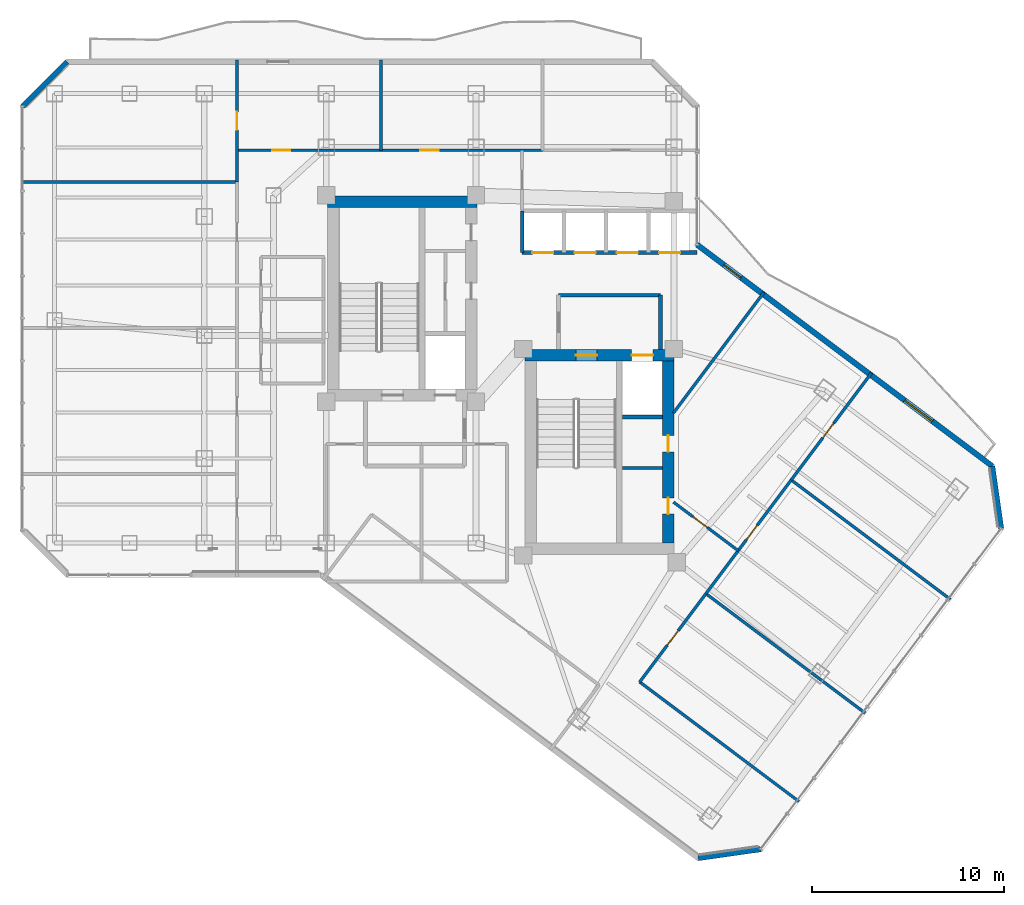
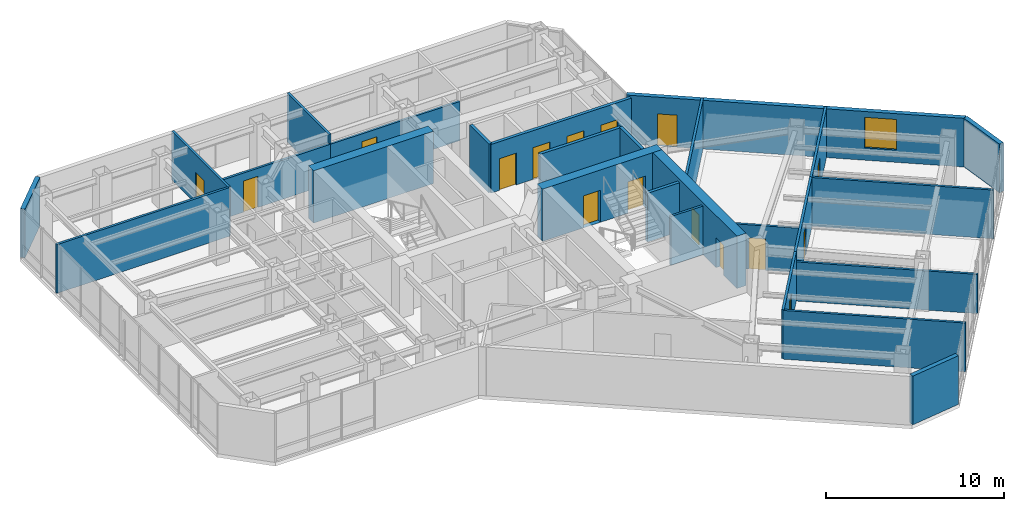
# One storey, part 23 of 27: 26 walls, 16 doors, 1 window, 17 openings.
"""IFC4 building model written with IfcOpenShell, lengths in metres."""

from ifc_helpers import new_model, si_unit, direction, frame, frame_2d, origin, place, context, subcontext, project, spatial, rectangle, extrude, material, layer, layer_set, type_object, element, fill, save


model = new_model("IFC4")

# Units and contexts
model_context = context("Model", 3, precision=1e-05, world=origin(), true_north=direction((0.0, 1.0)))
body_context = subcontext(model_context, "Body", "Model", "MODEL_VIEW")
ifc_project = project(units=[si_unit("LENGTHUNIT", "METRE"), si_unit("AREAUNIT", "SQUARE_METRE"), si_unit("VOLUMEUNIT", "CUBIC_METRE"), si_unit("PLANEANGLEUNIT", "RADIAN"), si_unit("MASSUNIT", "GRAM", prefix="KILO")], contexts=[model_context])

# Site, building, storey
site_placement = place(None, origin())
site = spatial("IfcSite", under=ifc_project, at=site_placement, CompositionType="ELEMENT")
building_placement = place(site_placement, origin())
building = spatial("IfcBuilding", under=site, at=building_placement, Name="Hatsunagi Terrace Concourse", CompositionType="ELEMENT")
storey_placement = place(building_placement, frame((0.0, 0.0, 142.050048828125)))
storey = spatial("IfcBuildingStorey", under=building, at=storey_placement, Name="L37", CompositionType="ELEMENT", Elevation=142.050048828125)

# Wall
ifc_material_1 = material(Name="Concrete Fc48", Category="concrete")
ifc_layer_1 = layer(ifc_material_1, 0.60009765625)
ifc_layer_set_1 = layer_set([ifc_layer_1], Name="CoreShearWall_Fc48_600")
wall_type_1 = type_object("IfcWallType", Name="CoreShearWall_Fc48_600", PredefinedType="SHEAR", material=ifc_layer_set_1)
wall_1_placement = place(storey_placement, frame((25.6201171875, 42.969970703125, 0.0), z_axis=(0.0, 0.0, 1.0), x_axis=(1.0, 0.0, 0.0)))
element("IfcWall", 1, at=wall_1_placement, inside=storey, type_object=wall_type_1, Name="Core A Shear Wall N L37", PredefinedType="SHEAR", context=body_context, shape_type="SweptSolid", body=[
    extrude(rectangle(XDim=7.77978515625, YDim=0.60009765625, at=frame_2d((3.889892578125, 0.0))), origin(), (0.0, 0.0, 1.0), 3.599853515625),
])

# Wall, openings, doors
wall_2_placement = place(storey_placement, frame((35.889892578125, 34.969970703125, 0.0), z_axis=(0.0, 0.0, 1.0), x_axis=(1.0, 0.0, 0.0)))
wall_2 = element("IfcWall", 2, at=wall_2_placement, inside=storey, type_object=wall_type_1, Name="Core B Shear Wall N L37", PredefinedType="SHEAR", context=body_context, shape_type="SweptSolid", body=[
    extrude(rectangle(XDim=7.760009765625, YDim=0.60009765625, at=frame_2d((3.8798828125, 0.0))), origin(), (0.0, 0.0, 1.0), 3.599853515625),
])
opening_1_placement = place(wall_2_placement, frame((2.659912109375, 0.0, 0.0)))
opening_1 = element("IfcOpeningElement", 3, at=opening_1_placement, cuts=wall_2, Name="Opening DR-110S", PredefinedType="OPENING", context=body_context, shape_type="SweptSolid", body=[
    extrude(rectangle(XDim=1.10009765625, YDim=2.199951171875, at=frame_2d((0.550048828125, 1.10009765625))), frame((0.0, 0.31005859375, 0.0), z_axis=(0.0, -1.0, 0.0), x_axis=(1.0, 0.0, 0.0)), (0.0, 0.0, 1.0), 0.6201171875),
])
opening_2_placement = place(wall_2_placement, frame((5.56005859375, 0.0, 0.0)))
opening_2 = element("IfcOpeningElement", 4, at=opening_2_placement, cuts=wall_2, Name="Opening LD-02", PredefinedType="OPENING", context=body_context, shape_type="SweptSolid", body=[
    extrude(rectangle(XDim=1.1201171875, YDim=2.14990234375, at=frame_2d((0.56005859375, 1.074951171875))), frame((0.0, 0.31005859375, 0.0), z_axis=(0.0, -1.0, 0.0), x_axis=(1.0, 0.0, 0.0)), (0.0, 0.0, 1.0), 0.6201171875),
])
ifc_material_2 = material(Name="Stainless steel", Category="steel")
door_type_1 = type_object("IfcDoorType", Name="LiftLandingDoor_LD02", OperationType="SLIDING_TO_RIGHT", PredefinedType="USERDEFINED", material=ifc_material_2)
door_1_placement = place(opening_2_placement, origin())
door_1 = element("IfcDoor", 5, at=door_1_placement, inside=storey, type_object=door_type_1, Name="Lift landing door FF-02 L37", ObjectType="SLIDING_LANDING_DOOR", OperationType="SLIDING_TO_RIGHT", OverallHeight=2.14990234375, OverallWidth=1.1201171875, PredefinedType="USERDEFINED", context=body_context, shape_type="SweptSolid", body=[
    extrude(rectangle(XDim=1.1201171875, YDim=2.14990234375, at=frame_2d((0.56005859375, 1.074951171875))), frame((0.0, 0.02490234375, 0.0), z_axis=(0.0, -1.0, 0.0), x_axis=(1.0, 0.0, 0.0)), (0.0, 0.0, 1.0), 0.050048828125),
])
fill(opening_2, door_1)
ifc_material_3 = material(Name="Painted steel", Category="steel")
door_type_2 = type_object("IfcDoorType", Name="StairFireDoor_EI60_1100", OperationType="NOTDEFINED", PredefinedType="DOOR", material=ifc_material_3)
door_2_placement = place(opening_1_placement, origin())
door_2 = element("IfcDoor", 6, at=door_2_placement, inside=storey, type_object=door_type_2, Name="Stair ST-B Exit Door L37", OperationType="SINGLE_SWING_RIGHT", OverallHeight=2.199951171875, OverallWidth=1.10009765625, PredefinedType="DOOR", context=body_context, shape_type="SweptSolid", body=[
    extrude(rectangle(XDim=1.10009765625, YDim=2.199951171875, at=frame_2d((0.550048828125, 1.10009765625))), frame((0.0, 0.02490234375, 0.0), z_axis=(0.0, -1.0, 0.0), x_axis=(1.0, 0.0, 0.0)), (0.0, 0.0, 1.0), 0.050048828125),
])
fill(opening_1, door_2)

wall_3_placement = place(storey_placement, frame((43.35009765625, 25.18994140625, 0.0), z_axis=(0.0, 0.0, 1.0), x_axis=(0.0, 1.0, 0.0)))
wall_3 = element("IfcWall", 7, at=wall_3_placement, inside=storey, type_object=wall_type_1, Name="Core B Shear Wall E L37", PredefinedType="SHEAR", context=body_context, shape_type="SweptSolid", body=[
    extrude(rectangle(XDim=9.47998046875, YDim=0.60009765625, at=frame_2d((4.739990234375, 0.0))), origin(), (0.0, 0.0, 1.0), 3.599853515625),
])
opening_3_placement = place(wall_3_placement, frame((1.510009765625, 0.0, 0.0)))
opening_3 = element("IfcOpeningElement", 8, at=opening_3_placement, cuts=wall_3, Name="Opening DR-085", PredefinedType="OPENING", context=body_context, shape_type="SweptSolid", body=[
    extrude(rectangle(XDim=0.85009765625, YDim=2.080078125, at=frame_2d((0.425048828125, 1.0400390625))), frame((0.0, 0.31005859375, 0.0), z_axis=(0.0, -1.0, 0.0), x_axis=(1.0, 0.0, 0.0)), (0.0, 0.0, 1.0), 0.6201171875),
])
opening_4_placement = place(wall_3_placement, frame((4.760009765625, 0.0, 0.0)))
opening_4 = element("IfcOpeningElement", 9, at=opening_4_placement, cuts=wall_3, Name="Opening DR-085", PredefinedType="OPENING", context=body_context, shape_type="SweptSolid", body=[
    extrude(rectangle(XDim=0.85009765625, YDim=2.080078125, at=frame_2d((0.425048828125, 1.0400390625))), frame((0.0, 0.31005859375, 0.0), z_axis=(0.0, -1.0, 0.0), x_axis=(1.0, 0.0, 0.0)), (0.0, 0.0, 1.0), 0.6201171875),
])
ifc_material_4 = material(Name="Painted steel", Category="steel")
door_type_3 = type_object("IfcDoorType", Name="RiserAccessDoor_EI60_850", OperationType="NOTDEFINED", PredefinedType="DOOR", material=ifc_material_4)
door_3_placement = place(opening_3_placement, origin())
door_3 = element("IfcDoor", 10, at=door_3_placement, inside=storey, type_object=door_type_3, Name="Core B Riser Door L37-1", OperationType="SINGLE_SWING_RIGHT", OverallHeight=2.080078125, OverallWidth=0.85009765625, PredefinedType="DOOR", context=body_context, shape_type="SweptSolid", body=[
    extrude(rectangle(XDim=0.85009765625, YDim=2.080078125, at=frame_2d((0.425048828125, 1.0400390625))), frame((0.0, 0.02490234375, 0.0), z_axis=(0.0, -1.0, 0.0), x_axis=(1.0, 0.0, 0.0)), (0.0, 0.0, 1.0), 0.050048828125),
])
fill(opening_3, door_3)
door_4_placement = place(opening_4_placement, origin())
door_4 = element("IfcDoor", 11, at=door_4_placement, inside=storey, type_object=door_type_3, Name="Core B Riser Door L37-2", OperationType="SINGLE_SWING_RIGHT", OverallHeight=2.080078125, OverallWidth=0.85009765625, PredefinedType="DOOR", context=body_context, shape_type="SweptSolid", body=[
    extrude(rectangle(XDim=0.85009765625, YDim=2.080078125, at=frame_2d((0.425048828125, 1.0400390625))), frame((0.0, 0.02490234375, 0.0), z_axis=(0.0, -1.0, 0.0), x_axis=(1.0, 0.0, 0.0)), (0.0, 0.0, 1.0), 0.050048828125),
])
fill(opening_4, door_4)

# Walls
ifc_material_5 = material(Name="Acoustic mineral board", Category="gypsum")
ifc_layer_2 = layer(ifc_material_5, 0.14990234375)
ifc_layer_set_2 = layer_set([ifc_layer_2], Name="PartitionWall_EI60_150")
wall_type_2 = type_object("IfcWallType", Name="PartitionWall_EI60_150", PredefinedType="PARTITIONING", material=ifc_layer_set_2)
wall_4_placement = place(storey_placement, frame((40.969970703125, 29.10009765625, 0.0), z_axis=(0.0, 0.0, 1.0), x_axis=(1.0, 0.0, 0.0)))
element("IfcWall", 12, at=wall_4_placement, inside=storey, type_object=wall_type_2, Name="Interior Partition IW-L37-005", PredefinedType="PARTITIONING", context=body_context, shape_type="SweptSolid", body=[
    extrude(rectangle(XDim=2.080078125, YDim=0.14990234375, at=frame_2d((1.0400390625, 0.0))), origin(), (0.0, 0.0, 1.0), 3.349853515625),
])
wall_5_placement = place(storey_placement, frame((9.639892578125, 44.0, 0.0), z_axis=(0.0, 0.0, 1.0), x_axis=(1.0, 0.0, 0.0)))
element("IfcWall", 13, at=wall_5_placement, inside=storey, type_object=wall_type_2, Name="Interior Partition IW-L37-037", PredefinedType="PARTITIONING", context=body_context, shape_type="SweptSolid", body=[
    extrude(rectangle(XDim=11.260009765625, YDim=0.14990234375, at=frame_2d((5.6298828125, 0.0))), origin(), (0.0, 0.0, 1.0), 3.349853515625),
])

# Wall, opening, door
wall_6_placement = place(storey_placement, frame((20.89990234375, 44.0, 0.0), z_axis=(0.0, 0.0, 1.0), x_axis=(0.0, 1.0, 0.0)))
wall_6 = element("IfcWall", 14, at=wall_6_placement, inside=storey, type_object=wall_type_2, Name="Interior Partition IW-L37-039", PredefinedType="PARTITIONING", context=body_context, shape_type="SweptSolid", body=[
    extrude(rectangle(XDim=6.360107421875, YDim=0.14990234375, at=frame_2d((3.18017578125, 0.0))), origin(), (0.0, 0.0, 1.0), 3.349853515625),
])
opening_5_placement = place(wall_6_placement, frame((2.705078125, 0.0, 0.0)))
opening_5 = element("IfcOpeningElement", 15, at=opening_5_placement, cuts=wall_6, Name="Opening DR-095", PredefinedType="OPENING", context=body_context, shape_type="SweptSolid", body=[
    extrude(rectangle(XDim=0.949951171875, YDim=2.14990234375, at=frame_2d((0.47509765625, 1.074951171875))), frame((0.0, 0.0849609375, 0.0), z_axis=(0.0, -1.0, 0.0), x_axis=(1.0, 0.0, 0.0)), (0.0, 0.0, 1.0), 0.169921875),
])
ifc_material_6 = material(Name="Hardwood timber", Category="wood")
door_type_4 = type_object("IfcDoorType", Name="InteriorSuiteDoor_EI30_950", OperationType="NOTDEFINED", PredefinedType="DOOR", material=ifc_material_6)
door_5_placement = place(opening_5_placement, origin())
door_5 = element("IfcDoor", 16, at=door_5_placement, inside=storey, type_object=door_type_4, Name="Team Innovation Studio L37-OW4 Door", OperationType="SINGLE_SWING_RIGHT", OverallHeight=2.14990234375, OverallWidth=0.949951171875, PredefinedType="DOOR", context=body_context, shape_type="SweptSolid", body=[
    extrude(rectangle(XDim=0.949951171875, YDim=2.14990234375, at=frame_2d((0.47509765625, 1.074951171875))), frame((0.0, 0.02490234375, 0.0), z_axis=(0.0, -1.0, 0.0), x_axis=(1.0, 0.0, 0.0)), (0.0, 0.0, 1.0), 0.050048828125),
])
fill(opening_5, door_5)

wall_7_placement = place(storey_placement, frame((20.89990234375, 45.64990234375, 0.0), z_axis=(0.0, 0.0, 1.0), x_axis=(1.0, 0.0, 0.0)))
wall_7 = element("IfcWall", 17, at=wall_7_placement, inside=storey, type_object=wall_type_2, Name="Interior Partition IW-L37-040", PredefinedType="PARTITIONING", context=body_context, shape_type="SweptSolid", body=[
    extrude(rectangle(XDim=7.5, YDim=0.14990234375, at=frame_2d((3.75, 0.0))), origin(), (0.0, 0.0, 1.0), 2.695068359375),
])
opening_6_placement = place(wall_7_placement, frame((1.826904296875, 0.0, 0.0)))
opening_6 = element("IfcOpeningElement", 18, at=opening_6_placement, cuts=wall_7, Name="Opening DR-095", PredefinedType="OPENING", context=body_context, shape_type="SweptSolid", body=[
    extrude(rectangle(XDim=0.949951171875, YDim=2.14990234375, at=frame_2d((0.47509765625, 1.074951171875))), frame((0.0, 0.0849609375, 0.0), z_axis=(0.0, -1.0, 0.0), x_axis=(1.0, 0.0, 0.0)), (0.0, 0.0, 1.0), 0.169921875),
])
door_6_placement = place(opening_6_placement, origin())
door_6 = element("IfcDoor", 19, at=door_6_placement, inside=storey, type_object=door_type_4, Name="Boardroom L37-ON1 Door", OperationType="SINGLE_SWING_LEFT", OverallHeight=2.14990234375, OverallWidth=0.949951171875, PredefinedType="DOOR", context=body_context, shape_type="SweptSolid", body=[
    extrude(rectangle(XDim=0.949951171875, YDim=2.14990234375, at=frame_2d((0.47509765625, 1.074951171875))), frame((0.0, 0.02490234375, 0.0), z_axis=(0.0, -1.0, 0.0), x_axis=(1.0, 0.0, 0.0)), (0.0, 0.0, 1.0), 0.050048828125),
])
fill(opening_6, door_6)

# Wall
wall_8_placement = place(storey_placement, frame((28.39990234375, 45.64990234375, 0.0), z_axis=(0.0, 0.0, 1.0), x_axis=(0.0, 1.0, 0.0)))
element("IfcWall", 20, at=wall_8_placement, inside=storey, type_object=wall_type_2, Name="Interior Partition IW-L37-041", PredefinedType="PARTITIONING", context=body_context, shape_type="SweptSolid", body=[
    extrude(rectangle(XDim=4.710205078125, YDim=0.14990234375, at=frame_2d((2.35498046875, 0.0))), origin(), (0.0, 0.0, 1.0), 3.349853515625),
])

# Wall, opening, door
wall_9_placement = place(storey_placement, frame((28.39990234375, 45.64990234375, 0.0), z_axis=(0.0, 0.0, 1.0), x_axis=(1.0, 0.0, 0.0)))
wall_9 = element("IfcWall", 21, at=wall_9_placement, inside=storey, type_object=wall_type_2, Name="Interior Partition IW-L37-042", PredefinedType="PARTITIONING", context=body_context, shape_type="SweptSolid", body=[
    extrude(rectangle(XDim=8.400146484375, YDim=0.14990234375, at=frame_2d((4.2001953125, 0.0))), origin(), (0.0, 0.0, 1.0), 2.695068359375),
])
opening_7_placement = place(wall_9_placement, frame((2.052001953125, 0.0, 0.0)))
opening_7 = element("IfcOpeningElement", 22, at=opening_7_placement, cuts=wall_9, Name="Opening DR-095", PredefinedType="OPENING", context=body_context, shape_type="SweptSolid", body=[
    extrude(rectangle(XDim=0.949951171875, YDim=2.14990234375, at=frame_2d((0.47509765625, 1.074951171875))), frame((0.0, 0.0849609375, 0.0), z_axis=(0.0, -1.0, 0.0), x_axis=(1.0, 0.0, 0.0)), (0.0, 0.0, 1.0), 0.169921875),
])
door_7_placement = place(opening_7_placement, origin())
door_7 = element("IfcDoor", 23, at=door_7_placement, inside=storey, type_object=door_type_4, Name="Collaboration Lounge L37-ON2 Door", OperationType="SINGLE_SWING_RIGHT", OverallHeight=2.14990234375, OverallWidth=0.949951171875, PredefinedType="DOOR", context=body_context, shape_type="SweptSolid", body=[
    extrude(rectangle(XDim=0.949951171875, YDim=2.14990234375, at=frame_2d((0.47509765625, 1.074951171875))), frame((0.0, 0.02490234375, 0.0), z_axis=(0.0, -1.0, 0.0), x_axis=(1.0, 0.0, 0.0)), (0.0, 0.0, 1.0), 0.050048828125),
])
fill(opening_7, door_7)

# Walls
wall_10_placement = place(storey_placement, frame((41.8701171875, 17.9599609375, 0.0), z_axis=(0.0, 0.0, 1.0), x_axis=(0.799991516197, -0.600011311571, 0.0)))
element("IfcWall", 24, at=wall_10_placement, inside=storey, type_object=wall_type_2, Name="Interior Partition IW-L37-045", PredefinedType="PARTITIONING", context=body_context, shape_type="SweptSolid", body=[
    extrude(rectangle(XDim=10.35986328125, YDim=0.14990234375, at=frame_2d((5.179931640625, 0.0))), origin(), (0.0, 0.0, 1.0), 3.349853515625),
])
wall_11_placement = place(storey_placement, frame((45.320068359375, 22.56005859375, 0.0), z_axis=(0.0, 0.0, 1.0), x_axis=(0.799991516197, -0.600011311571, 0.0)))
element("IfcWall", 25, at=wall_11_placement, inside=storey, type_object=wall_type_2, Name="Interior Partition IW-L37-046", PredefinedType="PARTITIONING", context=body_context, shape_type="SweptSolid", body=[
    extrude(rectangle(XDim=10.35986328125, YDim=0.14990234375, at=frame_2d((5.179931640625, 0.0))), origin(), (0.0, 0.0, 1.0), 2.695068359375),
])

# Wall, opening, door
wall_12_placement = place(storey_placement, frame((41.8701171875, 17.9599609375, 0.0), z_axis=(0.0, 0.0, 1.0), x_axis=(0.599986413072, 0.800010190015, 0.0)))
wall_12 = element("IfcWall", 26, at=wall_12_placement, inside=storey, type_object=wall_type_2, Name="Interior Partition IW-L37-047", PredefinedType="PARTITIONING", context=body_context, shape_type="SweptSolid", body=[
    extrude(rectangle(XDim=5.75, YDim=0.14990234375, at=frame_2d((2.875, 0.0))), origin(), (0.0, 0.0, 1.0), 3.349853515625),
])
opening_8_placement = place(wall_12_placement, frame((2.39990234375, 0.0, 0.0)))
opening_8 = element("IfcOpeningElement", 27, at=opening_8_placement, cuts=wall_12, Name="Opening DR-095", PredefinedType="OPENING", context=body_context, shape_type="SweptSolid", body=[
    extrude(rectangle(XDim=0.949951171875, YDim=2.14990234375, at=frame_2d((0.47509765625, 1.074951171875))), frame((0.0, 0.0849609375, 0.0), z_axis=(0.0, -1.0, 0.0), x_axis=(1.0, 0.0, 0.0)), (0.0, 0.0, 1.0), 0.169921875),
])
door_8_placement = place(opening_8_placement, origin())
door_8 = element("IfcDoor", 28, at=door_8_placement, inside=storey, type_object=door_type_4, Name="Meeting Room L37-OSE1 Door", OperationType="SINGLE_SWING_RIGHT", OverallHeight=2.14990234375, OverallWidth=0.949951171875, PredefinedType="DOOR", context=body_context, shape_type="SweptSolid", body=[
    extrude(rectangle(XDim=0.949951171875, YDim=2.14990234375, at=frame_2d((0.47509765625, 1.074951171875))), frame((0.0, 0.02490234375, 0.0), z_axis=(0.0, -1.0, 0.0), x_axis=(1.0, 0.0, 0.0)), (0.0, 0.0, 1.0), 0.050048828125),
])
fill(opening_8, door_8)

# Wall
wall_13_placement = place(storey_placement, frame((49.760009765625, 28.47998046875, 0.0), z_axis=(0.0, 0.0, 1.0), x_axis=(0.8, -0.6, 0.0)))
element("IfcWall", 29, at=wall_13_placement, inside=storey, type_object=wall_type_2, Name="Interior Partition IW-L37-048", PredefinedType="PARTITIONING", context=body_context, shape_type="SweptSolid", body=[
    extrude(rectangle(XDim=10.360107421875, YDim=0.14990234375, at=frame_2d((5.18017578125, 0.0))), origin(), (0.0, 0.0, 1.0), 3.349853515625),
])

# Wall, opening, door
wall_14_placement = place(storey_placement, frame((45.320068359375, 22.56005859375, 0.0), z_axis=(0.0, 0.0, 1.0), x_axis=(0.6, 0.8, 0.0)))
wall_14 = element("IfcWall", 30, at=wall_14_placement, inside=storey, type_object=wall_type_2, Name="Interior Partition IW-L37-049", PredefinedType="PARTITIONING", context=body_context, shape_type="SweptSolid", body=[
    extrude(rectangle(XDim=7.39990234375, YDim=0.14990234375, at=frame_2d((3.699951171875, 0.0))), origin(), (0.0, 0.0, 1.0), 3.349853515625),
])
opening_9_placement = place(wall_14_placement, frame((3.510009765625, 0.0, 0.0)))
opening_9 = element("IfcOpeningElement", 31, at=opening_9_placement, cuts=wall_14, Name="Opening DR-095", PredefinedType="OPENING", context=body_context, shape_type="SweptSolid", body=[
    extrude(rectangle(XDim=0.949951171875, YDim=2.14990234375, at=frame_2d((0.47509765625, 1.074951171875))), frame((0.0, 0.0849609375, 0.0), z_axis=(0.0, -1.0, 0.0), x_axis=(1.0, 0.0, 0.0)), (0.0, 0.0, 1.0), 0.169921875),
])
door_9_placement = place(opening_9_placement, origin())
door_9 = element("IfcDoor", 32, at=door_9_placement, inside=storey, type_object=door_type_4, Name="Team Innovation Studio L37-OSE2 Door", OperationType="SINGLE_SWING_RIGHT", OverallHeight=2.14990234375, OverallWidth=0.949951171875, PredefinedType="DOOR", context=body_context, shape_type="SweptSolid", body=[
    extrude(rectangle(XDim=0.949951171875, YDim=2.14990234375, at=frame_2d((0.47509765625, 1.074951171875))), frame((0.0, 0.02490234375, 0.0), z_axis=(0.0, -1.0, 0.0), x_axis=(1.0, 0.0, 0.0)), (0.0, 0.0, 1.0), 0.050048828125),
])
fill(opening_9, door_9)

wall_15_placement = place(storey_placement, frame((49.760009765625, 28.47998046875, 0.0), z_axis=(0.0, 0.0, 1.0), x_axis=(0.599994387644, 0.800004209236, 0.0)))
wall_15 = element("IfcWall", 33, at=wall_15_placement, inside=storey, type_object=wall_type_2, Name="Interior Partition IW-L37-050", PredefinedType="PARTITIONING", context=body_context, shape_type="SweptSolid", body=[
    extrude(rectangle(XDim=6.960205078125, YDim=0.14990234375, at=frame_2d((3.47998046875, 0.0))), origin(), (0.0, 0.0, 1.0), 3.349853515625),
])
opening_10_placement = place(wall_15_placement, frame((2.742919921875, 0.0, 0.0)))
opening_10 = element("IfcOpeningElement", 34, at=opening_10_placement, cuts=wall_15, Name="Opening DR-095", PredefinedType="OPENING", context=body_context, shape_type="SweptSolid", body=[
    extrude(rectangle(XDim=0.949951171875, YDim=2.14990234375, at=frame_2d((0.47509765625, 1.074951171875))), frame((0.0, 0.0849609375, 0.0), z_axis=(0.0, -1.0, 0.0), x_axis=(1.0, 0.0, 0.0)), (0.0, 0.0, 1.0), 0.169921875),
])
door_10_placement = place(opening_10_placement, origin())
door_10 = element("IfcDoor", 35, at=door_10_placement, inside=storey, type_object=door_type_4, Name="Research Focus Suite L37-OSE3 Door", OperationType="SINGLE_SWING_RIGHT", OverallHeight=2.14990234375, OverallWidth=0.949951171875, PredefinedType="DOOR", context=body_context, shape_type="SweptSolid", body=[
    extrude(rectangle(XDim=0.949951171875, YDim=2.14990234375, at=frame_2d((0.47509765625, 1.074951171875))), frame((0.0, 0.02490234375, 0.0), z_axis=(0.0, -1.0, 0.0), x_axis=(1.0, 0.0, 0.0)), (0.0, 0.0, 1.0), 0.050048828125),
])
fill(opening_10, door_10)

wall_16_placement = place(storey_placement, frame((43.6298828125, 27.327880859375, 0.0), z_axis=(0.0, 0.0, 1.0), x_axis=(0.799972182084, -0.600037088764, 0.0)))
wall_16 = element("IfcWall", 36, at=wall_16_placement, inside=storey, type_object=wall_type_2, Name="Interior Partition IW-L37-051", PredefinedType="PARTITIONING", context=body_context, shape_type="SweptSolid", body=[
    extrude(rectangle(XDim=4.212890625, YDim=0.14990234375, at=frame_2d((2.1064453125, 0.0))), origin(), (0.0, 0.0, 1.0), 3.044921875),
])
opening_11_placement = place(wall_16_placement, frame((1.256103515625, 0.0, 0.0)))
opening_11 = element("IfcOpeningElement", 37, at=opening_11_placement, cuts=wall_16, Name="Opening DR-095", PredefinedType="OPENING", context=body_context, shape_type="SweptSolid", body=[
    extrude(rectangle(XDim=0.949951171875, YDim=2.14990234375, at=frame_2d((0.47509765625, 1.074951171875))), frame((0.0, 0.0849609375, 0.0), z_axis=(0.0, -1.0, 0.0), x_axis=(1.0, 0.0, 0.0)), (0.0, 0.0, 1.0), 0.169921875),
])
door_11_placement = place(opening_11_placement, origin())
door_11 = element("IfcDoor", 38, at=door_11_placement, inside=storey, type_object=door_type_4, Name="Collaboration Lounge L37-OSEN0 Door", OperationType="SINGLE_SWING_LEFT", OverallHeight=2.14990234375, OverallWidth=0.949951171875, PredefinedType="DOOR", context=body_context, shape_type="SweptSolid", body=[
    extrude(rectangle(XDim=0.949951171875, YDim=2.14990234375, at=frame_2d((0.47509765625, 1.074951171875))), frame((0.0, 0.02490234375, 0.0), z_axis=(0.0, -1.0, 0.0), x_axis=(1.0, 0.0, 0.0)), (0.0, 0.0, 1.0), 0.050048828125),
])
fill(opening_11, door_11)

# Walls
wall_17_placement = place(storey_placement, frame((43.6298828125, 31.972900390625, 0.0), z_axis=(0.0, 0.0, 1.0), x_axis=(0.599975099311, 0.800018674911, 0.0)))
element("IfcWall", 39, at=wall_17_placement, inside=storey, type_object=wall_type_2, Name="Interior Partition IW-L37-052", PredefinedType="PARTITIONING", context=body_context, shape_type="SweptSolid", body=[
    extrude(rectangle(XDim=7.84375, YDim=0.14990234375, at=frame_2d((3.921875, 0.0))), origin(), (0.0, 0.0, 1.0), 3.349853515625),
])
ifc_material_7 = material(Name="Acoustic mineral board", Category="gypsum")
ifc_layer_3 = layer(ifc_material_7, 0.199951171875)
ifc_layer_set_3 = layer_set([ifc_layer_3], Name="ShaftWall_EI120_200")
wall_type_3 = type_object("IfcWallType", Name="ShaftWall_EI120_200", PredefinedType="STANDARD", material=ifc_layer_set_3)
wall_18_placement = place(storey_placement, frame((40.969970703125, 31.760009765625, 0.0), z_axis=(0.0, 0.0, 1.0), x_axis=(1.0, 0.0, 0.0)))
element("IfcWall", 40, at=wall_18_placement, inside=storey, type_object=wall_type_3, Name="Interior Partition IW-L37-004", PredefinedType="STANDARD", context=body_context, shape_type="SweptSolid", body=[
    extrude(rectangle(XDim=2.080078125, YDim=0.199951171875, at=frame_2d((1.0400390625, 0.0))), origin(), (0.0, 0.0, 1.0), 3.349853515625),
])
wall_19_placement = place(storey_placement, frame((37.64990234375, 38.10009765625, 0.0), z_axis=(0.0, 0.0, 1.0), x_axis=(1.0, 0.0, 0.0)))
element("IfcWall", 41, at=wall_19_placement, inside=storey, type_object=wall_type_3, Name="Interior Partition IW-L37-009", PredefinedType="STANDARD", context=body_context, shape_type="SweptSolid", body=[
    extrude(rectangle(XDim=5.300048828125, YDim=0.199951171875, at=frame_2d((2.64990234375, 0.0))), origin(), (0.0, 0.0, 1.0), 3.349853515625),
])
wall_20_placement = place(storey_placement, frame((42.949951171875, 35.27001953125, 0.0), z_axis=(0.0, 0.0, 1.0), x_axis=(0.0, 1.0, 0.0)))
element("IfcWall", 42, at=wall_20_placement, inside=storey, type_object=wall_type_3, Name="Interior Partition IW-L37-010", PredefinedType="STANDARD", context=body_context, shape_type="SweptSolid", body=[
    extrude(rectangle(XDim=2.830078125, YDim=0.199951171875, at=frame_2d((1.4150390625, 0.0))), origin(), (0.0, 0.0, 1.0), 3.349853515625),
])
wall_21_placement = place(storey_placement, frame((35.75, 40.320068359375, 0.0), z_axis=(0.0, 0.0, 1.0), x_axis=(0.0, 1.0, 0.0)))
element("IfcWall", 43, at=wall_21_placement, inside=storey, type_object=wall_type_3, Name="Interior Partition IW-L37-013", PredefinedType="STANDARD", context=body_context, shape_type="SweptSolid", body=[
    extrude(rectangle(XDim=2.159912109375, YDim=0.199951171875, at=frame_2d((1.080078125, 0.0))), origin(), (0.0, 0.0, 1.0), 3.349853515625),
])

# Wall, openings, doors
wall_22_placement = place(storey_placement, frame((35.75, 40.320068359375, 0.0), z_axis=(0.0, 0.0, 1.0), x_axis=(1.0, 0.0, 0.0)))
wall_22 = element("IfcWall", 44, at=wall_22_placement, inside=storey, type_object=wall_type_3, Name="Interior Partition IW-L37-017", PredefinedType="STANDARD", context=body_context, shape_type="SweptSolid", body=[
    extrude(rectangle(XDim=9.110107421875, YDim=0.199951171875, at=frame_2d((4.55517578125, 0.0))), origin(), (0.0, 0.0, 1.0), 3.349853515625),
])
opening_12_placement = place(wall_22_placement, frame((0.530029296875, 0.0, 0.0)))
opening_12 = element("IfcOpeningElement", 45, at=opening_12_placement, cuts=wall_22, Name="Opening LD-04", PredefinedType="OPENING", context=body_context, shape_type="SweptSolid", body=[
    extrude(rectangle(XDim=1.10009765625, YDim=2.179931640625, at=frame_2d((0.550048828125, 1.08984375))), frame((0.0, 0.10986328125, 0.0), z_axis=(0.0, -1.0, 0.0), x_axis=(1.0, 0.0, 0.0)), (0.0, 0.0, 1.0), 0.219970703125),
])
opening_13_placement = place(wall_22_placement, frame((2.72998046875, 0.0, 0.0)))
opening_13 = element("IfcOpeningElement", 46, at=opening_13_placement, cuts=wall_22, Name="Opening LD-04", PredefinedType="OPENING", context=body_context, shape_type="SweptSolid", body=[
    extrude(rectangle(XDim=1.10009765625, YDim=2.179931640625, at=frame_2d((0.550048828125, 1.08984375))), frame((0.0, 0.10986328125, 0.0), z_axis=(0.0, -1.0, 0.0), x_axis=(1.0, 0.0, 0.0)), (0.0, 0.0, 1.0), 0.219970703125),
])
opening_14_placement = place(wall_22_placement, frame((4.929931640625, 0.0, 0.0)))
opening_14 = element("IfcOpeningElement", 47, at=opening_14_placement, cuts=wall_22, Name="Opening LD-04", PredefinedType="OPENING", context=body_context, shape_type="SweptSolid", body=[
    extrude(rectangle(XDim=1.10009765625, YDim=2.179931640625, at=frame_2d((0.550048828125, 1.08984375))), frame((0.0, 0.10986328125, 0.0), z_axis=(0.0, -1.0, 0.0), x_axis=(1.0, 0.0, 0.0)), (0.0, 0.0, 1.0), 0.219970703125),
])
opening_15_placement = place(wall_22_placement, frame((7.1298828125, 0.0, 0.0)))
opening_15 = element("IfcOpeningElement", 48, at=opening_15_placement, cuts=wall_22, Name="Opening LD-04", PredefinedType="OPENING", context=body_context, shape_type="SweptSolid", body=[
    extrude(rectangle(XDim=1.10009765625, YDim=2.179931640625, at=frame_2d((0.550048828125, 1.08984375))), frame((0.0, 0.10986328125, 0.0), z_axis=(0.0, -1.0, 0.0), x_axis=(1.0, 0.0, 0.0)), (0.0, 0.0, 1.0), 0.219970703125),
])
ifc_material_8 = material(Name="Stainless steel", Category="steel")
door_type_5 = type_object("IfcDoorType", Name="LiftLandingDoor_LD04", OperationType="SLIDING_TO_RIGHT", PredefinedType="USERDEFINED", material=ifc_material_8)
door_12_placement = place(opening_12_placement, origin())
door_12 = element("IfcDoor", 49, at=door_12_placement, inside=storey, type_object=door_type_5, Name="Lift landing door PL-05 L37", ObjectType="SLIDING_LANDING_DOOR", OperationType="SLIDING_TO_RIGHT", OverallHeight=2.179931640625, OverallWidth=1.10009765625, PredefinedType="USERDEFINED", context=body_context, shape_type="SweptSolid", body=[
    extrude(rectangle(XDim=1.10009765625, YDim=2.179931640625, at=frame_2d((0.550048828125, 1.08984375))), frame((0.0, 0.02490234375, 0.0), z_axis=(0.0, -1.0, 0.0), x_axis=(1.0, 0.0, 0.0)), (0.0, 0.0, 1.0), 0.050048828125),
])
fill(opening_12, door_12)
door_13_placement = place(opening_13_placement, origin())
door_13 = element("IfcDoor", 50, at=door_13_placement, inside=storey, type_object=door_type_5, Name="Lift landing door PL-06 L37", ObjectType="SLIDING_LANDING_DOOR", OperationType="SLIDING_TO_RIGHT", OverallHeight=2.179931640625, OverallWidth=1.10009765625, PredefinedType="USERDEFINED", context=body_context, shape_type="SweptSolid", body=[
    extrude(rectangle(XDim=1.10009765625, YDim=2.179931640625, at=frame_2d((0.550048828125, 1.08984375))), frame((0.0, 0.02490234375, 0.0), z_axis=(0.0, -1.0, 0.0), x_axis=(1.0, 0.0, 0.0)), (0.0, 0.0, 1.0), 0.050048828125),
])
fill(opening_13, door_13)
door_14_placement = place(opening_14_placement, origin())
door_14 = element("IfcDoor", 51, at=door_14_placement, inside=storey, type_object=door_type_5, Name="Lift landing door PL-07 L37", ObjectType="SLIDING_LANDING_DOOR", OperationType="SLIDING_TO_RIGHT", OverallHeight=2.179931640625, OverallWidth=1.10009765625, PredefinedType="USERDEFINED", context=body_context, shape_type="SweptSolid", body=[
    extrude(rectangle(XDim=1.10009765625, YDim=2.179931640625, at=frame_2d((0.550048828125, 1.08984375))), frame((0.0, 0.02490234375, 0.0), z_axis=(0.0, -1.0, 0.0), x_axis=(1.0, 0.0, 0.0)), (0.0, 0.0, 1.0), 0.050048828125),
])
fill(opening_14, door_14)
door_15_placement = place(opening_15_placement, origin())
door_15 = element("IfcDoor", 52, at=door_15_placement, inside=storey, type_object=door_type_5, Name="Lift landing door PL-08 L37", ObjectType="SLIDING_LANDING_DOOR", OperationType="SLIDING_TO_RIGHT", OverallHeight=2.179931640625, OverallWidth=1.10009765625, PredefinedType="USERDEFINED", context=body_context, shape_type="SweptSolid", body=[
    extrude(rectangle(XDim=1.10009765625, YDim=2.179931640625, at=frame_2d((0.550048828125, 1.08984375))), frame((0.0, 0.02490234375, 0.0), z_axis=(0.0, -1.0, 0.0), x_axis=(1.0, 0.0, 0.0)), (0.0, 0.0, 1.0), 0.050048828125),
])
fill(opening_15, door_15)

# Wall, openings, door, window
ifc_material_9 = material(Name="Autoclaved Lightweight Concrete and Terracotta Cladding", Category="masonry")
ifc_layer_4 = layer(ifc_material_9, 0.280029296875)
ifc_layer_set_4 = layer_set([ifc_layer_4], Name="TerracottaSpandrelWall_280")
wall_type_4 = type_object("IfcWallType", Name="TerracottaSpandrelWall_280", PredefinedType="STANDARD", material=ifc_layer_set_4)
wall_23_placement = place(storey_placement, frame((44.860107421875, 40.72998046875, 0.0), z_axis=(0.0, 0.0, 1.0), x_axis=(0.800007624502, -0.599989833863, 0.0)))
wall_23 = element("IfcWall", 53, at=wall_23_placement, inside=storey, type_object=wall_type_4, Name="Exterior Spandrel Wall EW-L37-01", PredefinedType="STANDARD", context=body_context, shape_type="SweptSolid", body=[
    extrude(rectangle(XDim=19.212158203125, YDim=0.280029296875, at=frame_2d((9.60595703125, 0.0))), origin(), (0.0, 0.0, 1.0), 3.349853515625),
])
opening_16_placement = place(wall_23_placement, frame((1.7548828125, 0.0, 0.0)))
opening_16 = element("IfcOpeningElement", 54, at=opening_16_placement, cuts=wall_23, Name="Opening BD-01", PredefinedType="OPENING", context=body_context, shape_type="SweptSolid", body=[
    extrude(rectangle(XDim=1.10009765625, YDim=2.199951171875, at=frame_2d((0.550048828125, 1.10009765625))), frame((0.0, 0.14990234375, 0.0), z_axis=(0.0, -1.0, 0.0), x_axis=(1.0, 0.0, 0.0)), (0.0, 0.0, 1.0), 0.300048828125),
])
opening_17_placement = place(wall_23_placement, frame((13.509033203125, 0.0, 0.85009765625)))
opening_17 = element("IfcOpeningElement", 55, at=opening_17_placement, cuts=wall_23, Name="Opening WIN-03", PredefinedType="OPENING", context=body_context, shape_type="SweptSolid", body=[
    extrude(rectangle(XDim=1.800048828125, YDim=2.10009765625, at=frame_2d((0.89990234375, 1.050048828125))), frame((0.0, 0.14990234375, 0.0), z_axis=(0.0, -1.0, 0.0), x_axis=(1.0, 0.0, 0.0)), (0.0, 0.0, 1.0), 0.300048828125),
])
ifc_material_10 = material(Name="Galvanised Steel and Laminated Safety Glass", Category="steel")
door_type_6 = type_object("IfcDoorType", Name="BalconyTerraceAccessDoor_1100x2200", OperationType="SINGLE_SWING_LEFT", PredefinedType="DOOR", material=ifc_material_10)
door_16_placement = place(opening_16_placement, origin())
door_16 = element("IfcDoor", 56, at=door_16_placement, inside=storey, type_object=door_type_6, Name="Engawa Balcony Door L37-BSE", OperationType="SINGLE_SWING_LEFT", OverallHeight=2.199951171875, OverallWidth=1.10009765625, PredefinedType="DOOR", context=body_context, shape_type="SweptSolid", body=[
    extrude(rectangle(XDim=1.10009765625, YDim=2.199951171875, at=frame_2d((0.550048828125, 1.10009765625))), frame((0.0, 0.02490234375, 0.0), z_axis=(0.0, -1.0, 0.0), x_axis=(1.0, 0.0, 0.0)), (0.0, 0.0, 1.0), 0.050048828125),
])
fill(opening_16, door_16)
ifc_material_11 = material(Name="Thermally Broken Aluminium and Low-E Triple Glazing", Category="aluminium")
window_type = type_object("IfcWindowType", Name="OfficeCornerFeatureWindow_1800x2100", PartitioningType="SINGLE_PANEL", PredefinedType="WINDOW", material=ifc_material_11)
window_placement = place(opening_17_placement, origin())
window = element("IfcWindow", 57, at=window_placement, inside=storey, type_object=window_type, Name="Balcony Daylighting Window L37-01-2", OverallHeight=2.10009765625, OverallWidth=1.800048828125, PartitioningType="SINGLE_PANEL", PredefinedType="WINDOW", context=body_context, shape_type="SweptSolid", body=[
    extrude(rectangle(XDim=1.800048828125, YDim=2.10009765625, at=frame_2d((0.89990234375, 1.050048828125))), frame((0.0, 0.030029296875, 0.0), z_axis=(0.0, -1.0, 0.0), x_axis=(1.0, 0.0, 0.0)), (0.0, 0.0, 1.0), 0.06005859375),
])
fill(opening_17, window)

# Walls
wall_24_placement = place(storey_placement, frame((60.22998046875, 29.202880859375, 0.0), z_axis=(0.0, 0.0, 1.0), x_axis=(0.141296221922, -0.989967361922, 0.0)))
element("IfcWall", 58, at=wall_24_placement, inside=storey, type_object=wall_type_4, Name="Exterior Spandrel Wall EW-L37-02", PredefinedType="STANDARD", context=body_context, shape_type="SweptSolid", body=[
    extrude(rectangle(XDim=3.27783203125, YDim=0.280029296875, at=frame_2d((1.638916015625, 0.0))), origin(), (0.0, 0.0, 1.0), 3.349853515625),
])
wall_25_placement = place(storey_placement, frame((48.1630859375, 9.25, 0.0), z_axis=(0.0, 0.0, 1.0), x_axis=(-0.989979263428, -0.141212810973, 0.0)))
element("IfcWall", 59, at=wall_25_placement, inside=storey, type_object=wall_type_4, Name="Exterior Spandrel Wall EW-L37-04", PredefinedType="STANDARD", context=body_context, shape_type="SweptSolid", body=[
    extrude(rectangle(XDim=3.278076171875, YDim=0.280029296875, at=frame_2d((1.63916015625, 0.0))), origin(), (0.0, 0.0, 1.0), 3.349853515625),
])
wall_26_placement = place(storey_placement, frame((9.739990234375, 47.94189453125, 0.0), z_axis=(0.0, 0.0, 1.0), x_axis=(0.707106781187, 0.707106781187, 0.0)))
element("IfcWall", 60, at=wall_26_placement, inside=storey, type_object=wall_type_4, Name="Exterior Spandrel Wall EW-L37-10", PredefinedType="STANDARD", context=body_context, shape_type="SweptSolid", body=[
    extrude(rectangle(XDim=3.2783203125, YDim=0.280029296875, at=frame_2d((1.63916015625, 0.0))), origin(), (0.0, 0.0, 1.0), 3.349853515625),
])

save(model, "model.ifc")
